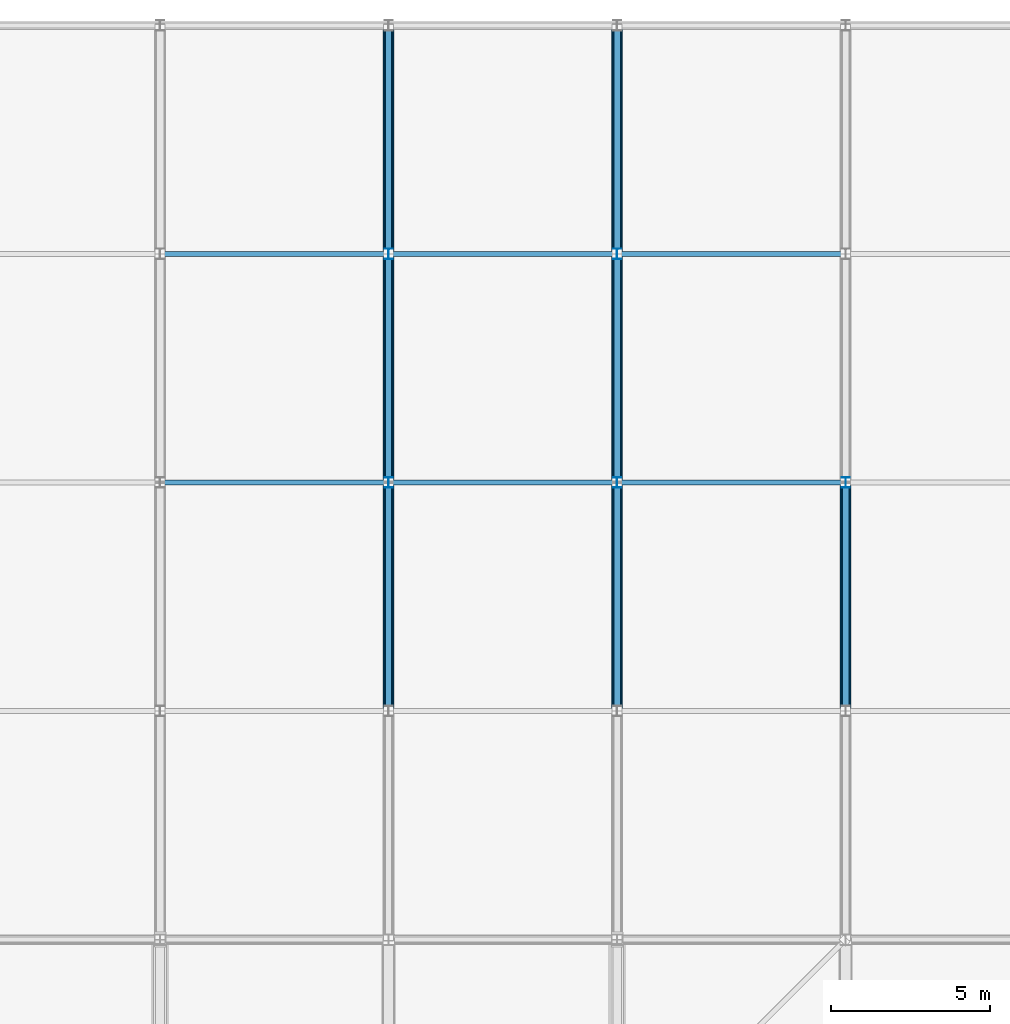
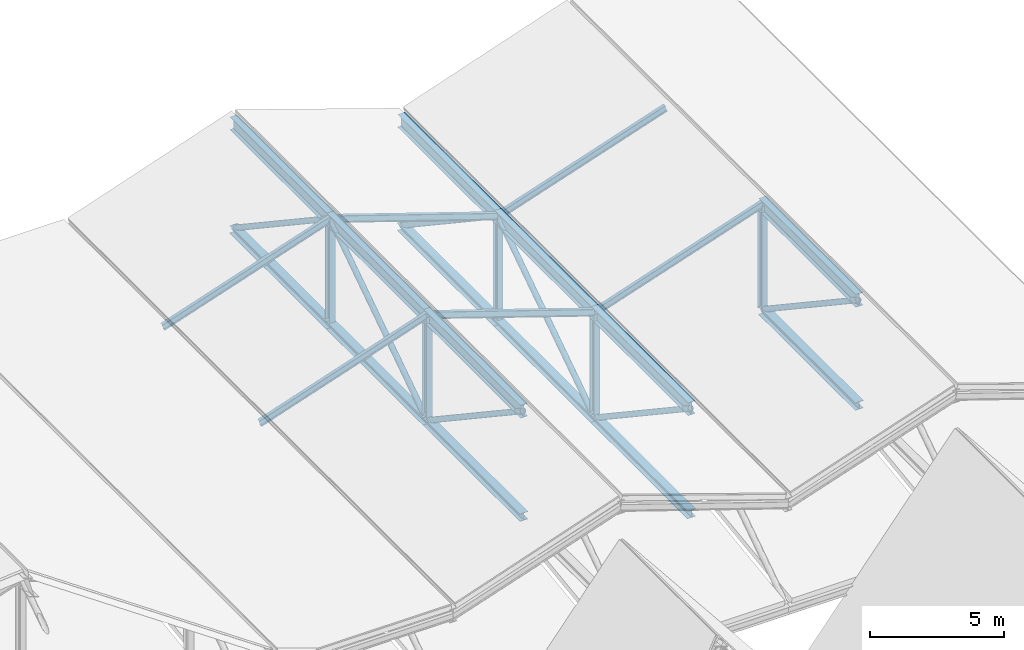
# One storey, part 28 of 60: 32 members.
"""IFC4 building model written with IfcOpenShell, lengths in metres."""

from ifc_helpers import new_model, si_unit, direction, frame, origin, origin_2d, place, context, subcontext, project, spatial, hollow_circle, i_section, extrude, material, material_profile, profile_set, type_object, element, save


model = new_model("IFC4")

# Units and contexts
model_context = context("Model", 3, precision=1e-05, world=origin(), true_north=direction((0.0, 1.0)))
body_context = subcontext(model_context, "Body", "Model", "MODEL_VIEW")
ifc_project = project(units=[si_unit("LENGTHUNIT", "METRE"), si_unit("AREAUNIT", "SQUARE_METRE"), si_unit("VOLUMEUNIT", "CUBIC_METRE"), si_unit("PLANEANGLEUNIT", "RADIAN"), si_unit("MASSUNIT", "GRAM", prefix="KILO")], contexts=[model_context])

# Site, building, storey
site_placement = place(None, origin())
site = spatial("IfcSite", under=ifc_project, at=site_placement, CompositionType="ELEMENT")
building_placement = place(site_placement, origin())
building = spatial("IfcBuilding", under=site, at=building_placement, Name="Vesperath Aquatics Centre", CompositionType="ELEMENT")
storey_placement = place(building_placement, frame((0.0, 0.0, 27.60009765625)))
storey = spatial("IfcBuildingStorey", under=building, at=storey_placement, Name="RF", CompositionType="ELEMENT", Elevation=27.60009765625)

# Members
ifc_material_1 = material(Name="Steel Q355D", Category="steel")
ifc_material_profile_1 = material_profile(ifc_material_1, i_section(OverallWidth=0.35009765625, OverallDepth=0.35009765625, WebThickness=0.011962890625, FlangeThickness=0.01904296875, FilletRadius=0.02001953125, at=origin_2d()), Name="HW 350x350x12x19")
ifc_profile_set_1 = profile_set([ifc_material_profile_1], Name="Steel Q355D")
member_type_1 = type_object("IfcMemberType", Name="MB-BC02", PredefinedType="CHORD", material=ifc_profile_set_1)
for number, where, z_axis, x_axis, name in (
    (1, (36.0, 93.60009765625, -3.60009765625), (0.0, 1.0, 0.0), (-1.0, 0.0, 0.0), "Diving ROOF TRUSS Bottom Chord BC02 G6-2"),
    (2, (36.0, 100.800048828125, -3.60009765625), (0.0, 1.0, 0.0), (-1.0, 0.0, 0.0), "Diving ROOF TRUSS Bottom Chord BC02 G6-3"),
    (3, (36.0, 108.0, -3.60009765625), (0.0, 1.0, 0.0), (-1.0, 0.0, 0.0), "Diving ROOF TRUSS Bottom Chord BC02 G6-4"),
    (4, (43.199951171875, 93.60009765625, -6.0), (0.0, 1.0, 0.0), (-1.0, 0.0, 0.0), "Diving ROOF TRUSS Bottom Chord BC02 G7-2"),
    (5, (43.199951171875, 100.800048828125, -6.0), (0.0, 1.0, 0.0), (-1.0, 0.0, 0.0), "Diving ROOF TRUSS Bottom Chord BC02 G7-3"),
    (6, (43.199951171875, 108.0, -6.0), (0.0, 1.0, 0.0), (-1.0, 0.0, 0.0), "Diving ROOF TRUSS Bottom Chord BC02 G7-4"),
    (7, (50.39990234375, 93.60009765625, -3.60009765625), (0.0, 1.0, 0.0), (-1.0, 0.0, 0.0), "Diving ROOF TRUSS Bottom Chord BC02 G8-2"),
):
    element("IfcMember", number, at=place(storey_placement, frame(where, z_axis=z_axis, x_axis=x_axis)), inside=storey, type_object=member_type_1, Name=name, PredefinedType="CHORD", context=body_context, shape_type="SweptSolid", body=[
        extrude(i_section(OverallWidth=0.35009765625, OverallDepth=0.35009765625, WebThickness=0.011962890625, FlangeThickness=0.01904296875, FilletRadius=0.02001953125, at=origin_2d()), origin(), (0.0, 0.0, 1.0), 7.199951171875),
    ])
ifc_material_2 = material(Name="Steel Q355C", Category="steel")
ifc_material_profile_2 = material_profile(ifc_material_2, i_section(OverallWidth=0.14990234375, OverallDepth=0.300048828125, WebThickness=0.006591796875, FlangeThickness=0.009033203125, FilletRadius=0.012939453125, at=origin_2d()), Name="HN 300x150x6.5x9")
ifc_profile_set_2 = profile_set([ifc_material_profile_2], Name="Steel Q355C")
member_type_2 = type_object("IfcMemberType", Name="MB-PR02", PredefinedType="PURLIN", material=ifc_profile_set_2)
for number, where, z_axis, x_axis, name in (
    (8, (28.800048828125, 100.800048828125, -1.2001953125), (0.948676864184, 0.0, 0.316247066962), (0.0, 1.0, 0.0), "Diving Roof Purlin PR02 5-3"),
    (9, (28.800048828125, 108.0, -1.2001953125), (0.948676864184, 0.0, 0.316247066962), (0.0, 1.0, 0.0), "Diving Roof Purlin PR02 5-4"),
    (10, (36.0, 100.800048828125, 1.199951171875), (0.948676864184, 0.0, -0.316247066962), (0.0, 1.0, 0.0), "Diving Roof Purlin PR02 6-3"),
    (11, (36.0, 108.0, 1.199951171875), (0.948676864184, 0.0, -0.316247066962), (0.0, 1.0, 0.0), "Diving Roof Purlin PR02 6-4"),
    (12, (43.199951171875, 100.800048828125, -1.2001953125), (0.948676864184, 0.0, 0.316247066962), (0.0, 1.0, 0.0), "Diving Roof Purlin PR02 7-3"),
    (13, (43.199951171875, 108.0, -1.2001953125), (0.948676864184, 0.0, 0.316247066962), (0.0, 1.0, 0.0), "Diving Roof Purlin PR02 7-4"),
):
    element("IfcMember", number, at=place(storey_placement, frame(where, z_axis=z_axis, x_axis=x_axis)), inside=storey, type_object=member_type_2, Name=name, PredefinedType="PURLIN", context=body_context, shape_type="SweptSolid", body=[
        extrude(i_section(OverallWidth=0.14990234375, OverallDepth=0.300048828125, WebThickness=0.006591796875, FlangeThickness=0.009033203125, FilletRadius=0.012939453125, at=origin_2d()), origin(), (0.0, 0.0, 1.0), 7.58935546875),
    ])
ifc_material_profile_3 = material_profile(ifc_material_1, i_section(OverallWidth=0.300048828125, OverallDepth=0.587890625, WebThickness=0.011962890625, FlangeThickness=0.02001953125, FilletRadius=0.028076171875, at=origin_2d()), Name="HM 588x300x12x20")
ifc_profile_set_3 = profile_set([ifc_material_profile_3], Name="Steel Q355D")
member_type_3 = type_object("IfcMemberType", Name="MB-TC03", PredefinedType="CHORD", material=ifc_profile_set_3)
for number, where, z_axis, x_axis, name in (
    (14, (36.0, 93.60009765625, 1.199951171875), (0.0, 1.0, 0.0), (-1.0, 0.0, 0.0), "Diving ROOF TRUSS Top Chord TC03 G6-2"),
    (15, (36.0, 100.800048828125, 1.199951171875), (0.0, 1.0, 0.0), (-1.0, 0.0, 0.0), "Diving ROOF TRUSS Top Chord TC03 G6-3"),
    (16, (36.0, 108.0, 1.199951171875), (0.0, 1.0, 0.0), (-1.0, 0.0, 0.0), "Diving ROOF TRUSS Top Chord TC03 G6-4"),
    (17, (43.199951171875, 93.60009765625, -1.2001953125), (0.0, 1.0, 0.0), (-1.0, 0.0, 0.0), "Diving ROOF TRUSS Top Chord TC03 G7-2"),
    (18, (43.199951171875, 100.800048828125, -1.2001953125), (0.0, 1.0, 0.0), (-1.0, 0.0, 0.0), "Diving ROOF TRUSS Top Chord TC03 G7-3"),
    (19, (43.199951171875, 108.0, -1.2001953125), (0.0, 1.0, 0.0), (-1.0, 0.0, 0.0), "Diving ROOF TRUSS Top Chord TC03 G7-4"),
    (20, (50.39990234375, 93.60009765625, 1.199951171875), (0.0, 1.0, 0.0), (-1.0, 0.0, 0.0), "Diving ROOF TRUSS Top Chord TC03 G8-2"),
):
    element("IfcMember", number, at=place(storey_placement, frame(where, z_axis=z_axis, x_axis=x_axis)), inside=storey, type_object=member_type_3, Name=name, PredefinedType="CHORD", context=body_context, shape_type="SweptSolid", body=[
        extrude(i_section(OverallWidth=0.300048828125, OverallDepth=0.587890625, WebThickness=0.011962890625, FlangeThickness=0.02001953125, FilletRadius=0.028076171875, at=origin_2d()), origin(), (0.0, 0.0, 1.0), 7.199951171875),
    ])
ifc_material_profile_4 = material_profile(ifc_material_1, hollow_circle(Radius=0.122314453125, WallThickness=0.011962890625, at=origin_2d()), Name="CHS 244.5x12")
ifc_profile_set_4 = profile_set([ifc_material_profile_4], Name="Steel Q355D")
member_type_4 = type_object("IfcMemberType", Name="MB-TD03", PredefinedType="BRACE", material=ifc_profile_set_4)
for number, where, z_axis, x_axis, name in (
    (21, (36.0, 93.66650390625, 1.155517578125), (0.0, 0.832054716629, -0.554693562731), (-1.0, 0.0, 0.0), "Diving ROOF TRUSS Diagonal TD03 G6-2"),
    (22, (36.0, 100.866455078125, -3.5556640625), (0.0, 0.832054716629, 0.554693562731), (-1.0, 0.0, 0.0), "Diving ROOF TRUSS Diagonal TD03 G6-3"),
    (23, (36.0, 108.066650390625, 1.155517578125), (0.0, 0.832054716629, -0.554693562731), (-1.0, 0.0, 0.0), "Diving ROOF TRUSS Diagonal TD03 G6-4"),
    (24, (43.199951171875, 93.66650390625, -1.244384765625), (0.0, 0.832041449737, -0.554713462897), (-1.0, 0.0, 0.0), "Diving ROOF TRUSS Diagonal TD03 G7-2"),
    (25, (43.199951171875, 100.866455078125, -5.955810546875), (0.0, 0.832041449737, 0.554713462897), (-1.0, 0.0, 0.0), "Diving ROOF TRUSS Diagonal TD03 G7-3"),
    (26, (43.199951171875, 108.066650390625, -1.244384765625), (0.0, 0.832041449737, -0.554713462897), (-1.0, 0.0, 0.0), "Diving ROOF TRUSS Diagonal TD03 G7-4"),
    (27, (50.39990234375, 93.66650390625, 1.155517578125), (0.0, 0.832054716629, -0.554693562731), (-1.0, 0.0, 0.0), "Diving ROOF TRUSS Diagonal TD03 G8-2"),
):
    element("IfcMember", number, at=place(storey_placement, frame(where, z_axis=z_axis, x_axis=x_axis)), inside=storey, type_object=member_type_4, Name=name, PredefinedType="BRACE", context=body_context, shape_type="SweptSolid", body=[
        extrude(hollow_circle(Radius=0.122314453125, WallThickness=0.011962890625, at=origin_2d()), origin(), (0.0, 0.0, 1.0), 8.493408203125),
    ])
ifc_material_profile_5 = material_profile(ifc_material_1, i_section(OverallWidth=0.25, OverallDepth=0.340087890625, WebThickness=0.009033203125, FlangeThickness=0.013916015625, FilletRadius=0.02001953125, at=origin_2d()), Name="HM 340x250x9x14")
ifc_profile_set_5 = profile_set([ifc_material_profile_5], Name="Steel Q355D")
member_type_5 = type_object("IfcMemberType", Name="MB-TP02", PredefinedType="POST", material=ifc_profile_set_5)
for number, where, z_axis, x_axis, name in (
    (28, (36.0, 100.800048828125, -3.60009765625), (0.0, 0.0, 1.0), (1.0, 0.0, 0.0), "Diving ROOF TRUSS Post TP02 G6-3"),
    (29, (36.0, 108.0, -3.60009765625), (0.0, 0.0, 1.0), (1.0, 0.0, 0.0), "Diving ROOF TRUSS Post TP02 G6-4"),
):
    element("IfcMember", number, at=place(storey_placement, frame(where, z_axis=z_axis, x_axis=x_axis)), inside=storey, type_object=member_type_5, Name=name, PredefinedType="POST", context=body_context, shape_type="SweptSolid", body=[
        extrude(i_section(OverallWidth=0.25, OverallDepth=0.340087890625, WebThickness=0.009033203125, FlangeThickness=0.013916015625, FilletRadius=0.02001953125, at=origin_2d()), origin(), (0.0, 0.0, 1.0), 4.800048828125),
    ])
for number, where, z_axis, x_axis, name in (
    (30, (43.199951171875, 100.800048828125, -6.0), (0.0, 0.0, 1.0), (1.0, 0.0, 0.0), "Diving ROOF TRUSS Post TP02 G7-3"),
    (31, (43.199951171875, 108.0, -6.0), (0.0, 0.0, 1.0), (1.0, 0.0, 0.0), "Diving ROOF TRUSS Post TP02 G7-4"),
):
    element("IfcMember", number, at=place(storey_placement, frame(where, z_axis=z_axis, x_axis=x_axis)), inside=storey, type_object=member_type_5, Name=name, PredefinedType="POST", context=body_context, shape_type="SweptSolid", body=[
        extrude(i_section(OverallWidth=0.25, OverallDepth=0.340087890625, WebThickness=0.009033203125, FlangeThickness=0.013916015625, FilletRadius=0.02001953125, at=origin_2d()), origin(), (0.0, 0.0, 1.0), 4.7998046875),
    ])
member_placement = place(storey_placement, frame((50.39990234375, 100.800048828125, -3.60009765625), z_axis=(0.0, 0.0, 1.0), x_axis=(1.0, 0.0, 0.0)))
element("IfcMember", 32, at=member_placement, inside=storey, type_object=member_type_5, Name="Diving ROOF TRUSS Post TP02 G8-3", PredefinedType="POST", context=body_context, shape_type="SweptSolid", body=[
    extrude(i_section(OverallWidth=0.25, OverallDepth=0.340087890625, WebThickness=0.009033203125, FlangeThickness=0.013916015625, FilletRadius=0.02001953125, at=origin_2d()), origin(), (0.0, 0.0, 1.0), 4.800048828125),
])

save(model, "model.ifc")
